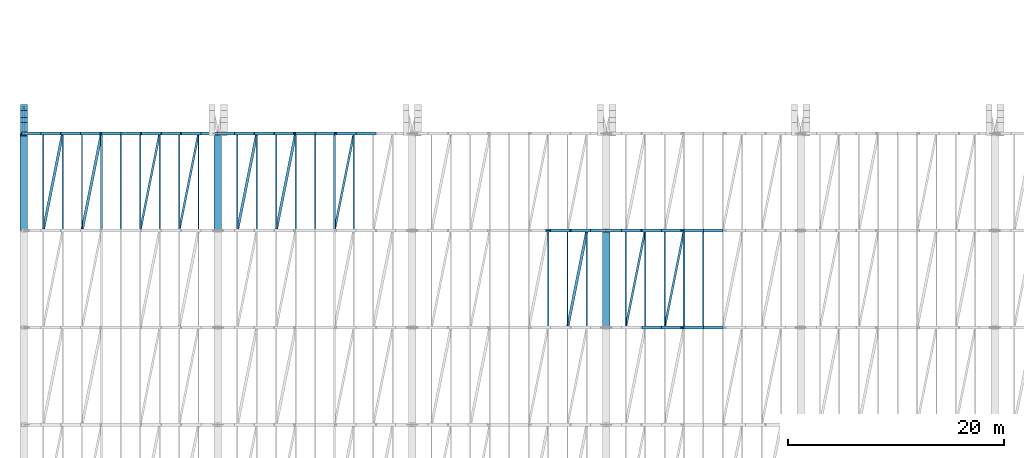
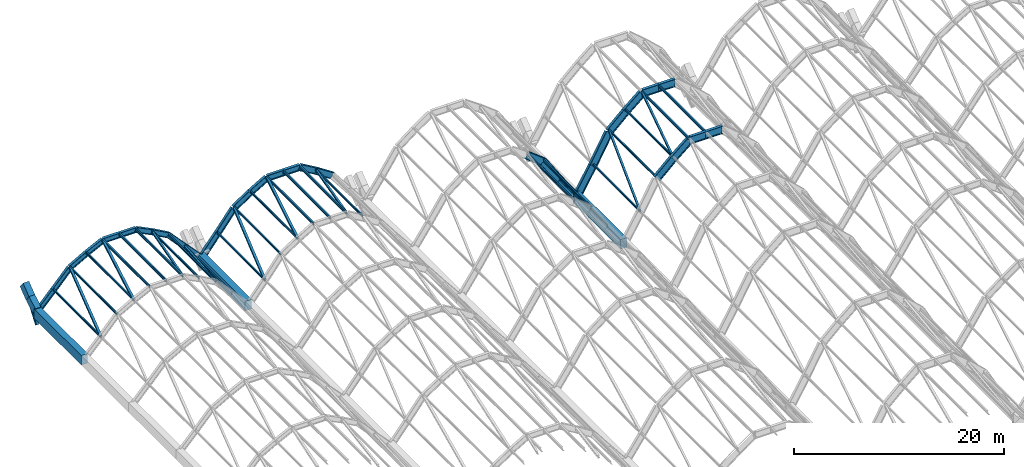
# One storey, part 21 of 86: 36 beams, 35 members.
"""IFC4 building model written with IfcOpenShell, lengths in metres."""

import ifcopenshell
import ifcopenshell.guid

model = None  # the IFC model being written
_history = None  # IfcOwnerHistory: only IFC2X3 demands one
_inside = {}  # id of a spatial element -> (the spatial element, [elements in it])
_under = {}  # id of a project, library or spatial element -> (it, [spatial elements below it])
_declared = {}  # id of a project -> (the project, [libraries it declares])
_typed = {}  # id of a type object -> (the type object, [elements of that type])
_made_of = {}  # id of a material, layer set ... -> (it, [elements and type objects made of it])


def new_model(schema):
    """Start an empty IFC model of exactly this schema.

    Asked for "IFC4X3", IfcOpenShell would pick the latest addendum, in which some entities
    have other attributes; the version numbers below select the first issue.
    IFC2X3 requires an IfcOwnerHistory on every rooted entity: one is made here for all.
    """
    global model, _history
    if schema == "IFC4X3":
        model = ifcopenshell.file(schema_version=(4, 3, 0, 0))
    else:
        model = ifcopenshell.file(schema=schema)
    _inside.clear()
    _under.clear()
    _declared.clear()
    _typed.clear()
    _made_of.clear()
    _history = None
    if model.schema == "IFC2X3":
        org = make("IfcOrganization", Name="unknown")
        user = make(
            "IfcPersonAndOrganization",
            ThePerson=make("IfcPerson", FamilyName="unknown"),
            TheOrganization=org,
        )
        app = make(
            "IfcApplication",
            ApplicationDeveloper=org,
            Version="unknown",
            ApplicationFullName="unknown",
            ApplicationIdentifier="unknown",
        )
        _history = make(
            "IfcOwnerHistory",
            OwningUser=user,
            OwningApplication=app,
            ChangeAction="ADDED",
            CreationDate=0,
        )
    return model


def make(cls, **values):
    """One entity of the class cls with the attributes given. An attribute that is None is left unset."""
    return model.create_entity(
        cls, **{name: value for name, value in values.items() if value is not None}
    )


def rooted(cls, **values):
    """An entity with a GlobalId (a new one), such as an element, a storey or a relation."""
    return make(cls, GlobalId=ifcopenshell.guid.new(), OwnerHistory=_history, **values)


def si_unit(unit_type, name, prefix=None):
    """IfcSIUnit, for example si_unit("LENGTHUNIT", "METRE", prefix="MILLI")."""
    return make("IfcSIUnit", UnitType=unit_type, Prefix=prefix, Name=name)


def assignment(units):
    """IfcUnitAssignment: the units of a project."""
    return None if units is None else make("IfcUnitAssignment", Units=units)


def point(xyz):
    """IfcCartesianPoint."""
    return None if xyz is None else make("IfcCartesianPoint", Coordinates=xyz)


def direction(xyz):
    """IfcDirection."""
    return None if xyz is None else make("IfcDirection", DirectionRatios=xyz)


def frame(location, z_axis=None, x_axis=None):
    """IfcAxis2Placement3D, a coordinate frame: its origin and axes. An axis left out is left unset."""
    return make(
        "IfcAxis2Placement3D",
        Location=point(location),
        Axis=direction(z_axis),
        RefDirection=direction(x_axis),
    )


def frame_2d(location, x_axis=None):
    """IfcAxis2Placement2D, a coordinate frame in the plane: its origin and x axis."""
    return make(
        "IfcAxis2Placement2D", Location=point(location), RefDirection=direction(x_axis)
    )


def origin():
    """The frame at (0, 0, 0) with its axes left unset."""
    return frame((0.0, 0.0, 0.0))


def origin_2d():
    """The frame at (0, 0) in the plane with its x axis left unset."""
    return frame_2d((0.0, 0.0))


def place(relative_to, where):
    """IfcLocalPlacement: puts the frame where relative to a parent placement (None: the world)."""
    return make(
        "IfcLocalPlacement", PlacementRelTo=relative_to, RelativePlacement=where
    )


def context(
    kind, dimensions, precision=None, world=None, true_north=None, identifier=None
):
    """IfcGeometricRepresentationContext, for example the 3D "Model" context."""
    return make(
        "IfcGeometricRepresentationContext",
        ContextIdentifier=identifier,
        ContextType=kind,
        CoordinateSpaceDimension=dimensions,
        Precision=precision,
        WorldCoordinateSystem=world,
        TrueNorth=true_north,
    )


def subcontext(parent, identifier, kind, view, scale=None):
    """IfcGeometricRepresentationSubContext, for example "Body" below "Model"."""
    return make(
        "IfcGeometricRepresentationSubContext",
        ContextIdentifier=identifier,
        ContextType=kind,
        ParentContext=parent,
        TargetScale=scale,
        TargetView=view,
    )


def project(units=None, contexts=None):
    """IfcProject with its units and contexts."""
    return rooted(
        "IfcProject",
        Name="project",
        RepresentationContexts=contexts,
        UnitsInContext=assignment(units),
    )


def spatial(cls, under=None, at=None, **own):
    """A site, building, storey or space (cls), placed at a placement, below another one or the project."""
    s = rooted(cls, ObjectPlacement=at, **own)
    if under is not None:
        _under.setdefault(under.id(), (under, []))[1].append(s)
    return s


def profile(cls, at=None, kind="AREA", **sizes):
    """A parametric profile (cls). Its sizes go by their IFC names, for example OverallWidth=200.0."""
    return make(cls, ProfileType=kind, Position=at, **sizes)


def rectangle(**sizes):
    """IfcRectangleProfileDef."""
    return profile("IfcRectangleProfileDef", **sizes)


def i_section(**sizes):
    """IfcIShapeProfileDef."""
    return profile("IfcIShapeProfileDef", **sizes)


def extrude(swept, where, along, depth):
    """IfcExtrudedAreaSolid: the profile swept, set in the frame where, extruded along a direction by depth."""
    return make(
        "IfcExtrudedAreaSolid",
        SweptArea=swept,
        Position=where,
        ExtrudedDirection=direction(along),
        Depth=depth,
    )


def shape(context_of_items, identifier, shape_type, items):
    """IfcShapeRepresentation: the items that make up one representation, for example the "Body"."""
    return make(
        "IfcShapeRepresentation",
        ContextOfItems=context_of_items,
        RepresentationIdentifier=identifier,
        RepresentationType=shape_type,
        Items=items,
    )


def material(Name=None, Category=None):
    """IfcMaterial."""
    return make("IfcMaterial", Name=Name, Category=Category)


def material_profile(
    of_material, cross_section, Name=None, Category=None, Priority=None
):
    """IfcMaterialProfile: a cross section and its material."""
    return make(
        "IfcMaterialProfile",
        Name=Name,
        Material=of_material,
        Profile=cross_section,
        Priority=Priority,
        Category=Category,
    )


def profile_set(profiles, Name=None, composite=None):
    """IfcMaterialProfileSet."""
    return make(
        "IfcMaterialProfileSet",
        Name=Name,
        MaterialProfiles=profiles,
        CompositeProfile=composite,
    )


def made_of(thing, what):
    """Note that an element or type object is made of a material, layer set ...; save() writes the relation."""
    if what is not None:
        _made_of.setdefault(what.id(), (what, []))[1].append(thing)
    return thing


def type_object(cls, material=None, **own):
    """A type object (cls), such as IfcWallType, which elements share."""
    return made_of(rooted(cls, **own), material)


def element(
    cls,
    number,
    at=None,
    inside=None,
    cuts=None,
    type_object=None,
    material=None,
    context=None,
    identifier="Body",
    shape_type=None,
    held_by="IfcProductDefinitionShape",
    body=None,
    shapes=None,
    **own,
):
    """One element of the class cls, such as IfcWall. Its Tag is "e" and its number.

    at: its placement. inside: the storey or other place that contains it. cuts: it is an
    opening in that element (IfcRelVoidsElement). A single representation is given by context,
    identifier, shape_type and body (its items); several are given by shapes. held_by: the class
    of the entity that holds the representations. save() writes the other relations.
    """
    e = rooted(cls, Tag="e%d" % number, ObjectPlacement=at, **own)
    if body is not None:
        shapes = [shape(context, identifier, shape_type, body)]
    if shapes is not None:
        e.Representation = make(held_by, Representations=shapes)
    if inside is not None:
        _inside.setdefault(inside.id(), (inside, []))[1].append(e)
    if cuts is not None:
        rooted(
            "IfcRelVoidsElement", RelatingBuildingElement=cuts, RelatedOpeningElement=e
        )
    if type_object is not None:
        _typed.setdefault(type_object.id(), (type_object, []))[1].append(e)
    return made_of(e, material)


def aggregate(whole, parts):
    """IfcRelAggregates: a whole, such as a stair, and the parts it consists of."""
    return rooted("IfcRelAggregates", RelatingObject=whole, RelatedObjects=parts)


def save(model, path):
    """Write the relations noted so far, then the file.

    IfcRelAggregates (storeys below a building ...), IfcRelContainedInSpatialStructure (elements
    in a storey), IfcRelDefinesByType, IfcRelAssociatesMaterial and IfcRelDeclares: one each for
    every whole, place, type object, material and project.
    """
    for whole, parts in _under.values():
        aggregate(whole, parts)
    for where, things in _inside.values():
        rooted(
            "IfcRelContainedInSpatialStructure",
            RelatedElements=things,
            RelatingStructure=where,
        )
    for kind, things in _typed.values():
        rooted("IfcRelDefinesByType", RelatedObjects=things, RelatingType=kind)
    for what, things in _made_of.values():
        rooted("IfcRelAssociatesMaterial", RelatedObjects=things, RelatingMaterial=what)
    for by, libraries in _declared.values():
        rooted("IfcRelDeclares", RelatingContext=by, RelatedDefinitions=libraries)
    model.write(path)


model = new_model("IFC4")

# Units and contexts
model_context = context("Model", 3, precision=1e-05, world=origin(), true_north=direction((0.0, 1.0)))
body_context = subcontext(model_context, "Body", "Model", "MODEL_VIEW")
ifc_project = project(units=[si_unit("LENGTHUNIT", "METRE"), si_unit("AREAUNIT", "SQUARE_METRE"), si_unit("VOLUMEUNIT", "CUBIC_METRE"), si_unit("PLANEANGLEUNIT", "RADIAN"), si_unit("MASSUNIT", "GRAM", prefix="KILO")], contexts=[model_context])

# Site, building, storey
site_placement = place(None, origin())
site = spatial("IfcSite", under=ifc_project, at=site_placement, CompositionType="ELEMENT")
building_placement = place(site_placement, origin())
building = spatial("IfcBuilding", under=site, at=building_placement, Name="Chuanluo Vaults Station", CompositionType="ELEMENT")
storey_placement = place(building_placement, frame((0.0, 0.0, 14.39990234375)))
storey = spatial("IfcBuildingStorey", under=building, at=storey_placement, Name="L03", CompositionType="ELEMENT", Elevation=14.39990234375)

# Beams
ifc_material_1 = material(Name="Concrete C50", Category="concrete")
ifc_material_profile_1 = material_profile(ifc_material_1, rectangle(XDim=0.64990234375, YDim=0.949951171875, at=origin_2d()))
ifc_profile_set_1 = profile_set([ifc_material_profile_1], Name="Concrete C50")
beam_type_1 = type_object("IfcBeamType", Name="BM-CUSP-RC1", PredefinedType="USERDEFINED", material=ifc_profile_set_1)
beam_1_placement = place(storey_placement, frame((0.0, 103.5, -0.5498046875), z_axis=(0.0, 0.872520545396, 0.488577422588), x_axis=(-1.0, 0.0, 0.0)))
element("IfcBeam", 1, at=beam_1_placement, inside=storey, type_object=beam_type_1, Name="Vault V1 upturned cusp rib N-W chord 1", ObjectType="GIRDER", PredefinedType="USERDEFINED", context=body_context, shape_type="SweptSolid", body=[
    extrude(rectangle(XDim=0.64990234375, YDim=0.949951171875, at=origin_2d()), origin(), (0.0, 0.0, 1.0), 1.4326171875),
])
beam_2_placement = place(storey_placement, frame((0.0, 104.75, 0.150146484375), z_axis=(0.0, 0.787512057463, 0.61629924497), x_axis=(-1.0, 0.0, 0.0)))
element("IfcBeam", 2, at=beam_2_placement, inside=storey, type_object=beam_type_1, Name="Vault V1 upturned cusp rib N-W chord 2", ObjectType="GIRDER", PredefinedType="USERDEFINED", context=body_context, shape_type="SweptSolid", body=[
    extrude(rectangle(XDim=0.64990234375, YDim=0.949951171875, at=origin_2d()), origin(), (0.0, 0.0, 1.0), 1.460205078125),
])
ifc_material_2 = material(Name="Concrete C50", Category="concrete")
ifc_material_profile_2 = material_profile(ifc_material_2, rectangle(XDim=0.699951171875, YDim=1.10009765625, at=origin_2d()))
ifc_profile_set_2 = profile_set([ifc_material_profile_2], Name="Concrete C50")
beam_type_2 = type_object("IfcBeamType", Name="BM-VAL-RC", PredefinedType="USERDEFINED", material=ifc_profile_set_2)
for number, where, z_axis, x_axis, name in (
    (3, (0.0, 94.5, -0.7998046875), (0.0, 1.0, 0.0), (-1.0, 0.0, 0.0), "Vault springing valley beam X0-8"),
    (4, (18.0, 94.5, -0.7998046875), (0.0, 1.0, 0.0), (-1.0, 0.0, 0.0), "Vault springing valley beam X18-8"),
    (5, (54.0, 85.5, -0.7998046875), (0.0, 1.0, 0.0), (-1.0, 0.0, 0.0), "Vault springing valley beam X54-7"),
):
    element("IfcBeam", number, at=place(storey_placement, frame(where, z_axis=z_axis, x_axis=x_axis)), inside=storey, type_object=beam_type_2, Name=name, ObjectType="GIRDER", PredefinedType="USERDEFINED", context=body_context, shape_type="SweptSolid", body=[
        extrude(rectangle(XDim=0.699951171875, YDim=1.10009765625, at=origin_2d()), origin(), (0.0, 0.0, 1.0), 9.0),
    ])
ifc_material_3 = material(Name="Steel Q355C", Category="steel")
ifc_material_profile_3 = material_profile(ifc_material_3, i_section(OverallWidth=0.300048828125, OverallDepth=0.587890625, WebThickness=0.011962890625, FlangeThickness=0.02001953125, FilletRadius=0.02392578125, at=origin_2d()))
ifc_profile_set_3 = profile_set([ifc_material_profile_3], Name="Steel Q355C")
beam_type_3 = type_object("IfcBeamType", Name="BM-VLT-600", PredefinedType="USERDEFINED", material=ifc_profile_set_3)
beam_3_placement = place(storey_placement, frame((0.0, 103.5, -0.743896484375), z_axis=(0.684521510403, 0.0, 0.728992662374), x_axis=(0.0, 1.0, 0.0)))
element("IfcBeam", 6, at=beam_3_placement, inside=storey, type_object=beam_type_3, Name="Vault V1 arch rib 9 chord 1", ObjectType="GIRDER", PredefinedType="USERDEFINED", context=body_context, shape_type="SweptSolid", body=[
    extrude(i_section(OverallWidth=0.300048828125, OverallDepth=0.587890625, WebThickness=0.011962890625, FlangeThickness=0.02001953125, FilletRadius=0.02392578125, at=origin_2d()), origin(), (0.0, 0.0, 1.0), 2.629638671875),
])
beam_4_placement = place(storey_placement, frame((1.800048828125, 103.5, 1.173095703125), z_axis=(0.674369120381, 0.0, 0.738394399679), x_axis=(0.0, 1.0, 0.0)))
element("IfcBeam", 7, at=beam_4_placement, inside=storey, type_object=beam_type_3, Name="Vault V1 arch rib 9 chord 2", ObjectType="GIRDER", PredefinedType="USERDEFINED", context=body_context, shape_type="SweptSolid", body=[
    extrude(i_section(OverallWidth=0.300048828125, OverallDepth=0.587890625, WebThickness=0.011962890625, FlangeThickness=0.02001953125, FilletRadius=0.02392578125, at=origin_2d()), origin(), (0.0, 0.0, 1.0), 2.669189453125),
])
beam_5_placement = place(storey_placement, frame((3.60009765625, 103.5, 3.14404296875), z_axis=(0.873681685546, 0.0, 0.486498008569), x_axis=(0.0, 1.0, 0.0)))
element("IfcBeam", 8, at=beam_5_placement, inside=storey, type_object=beam_type_3, Name="Vault V1 arch rib 9 chord 3", ObjectType="GIRDER", PredefinedType="USERDEFINED", context=body_context, shape_type="SweptSolid", body=[
    extrude(i_section(OverallWidth=0.300048828125, OverallDepth=0.587890625, WebThickness=0.011962890625, FlangeThickness=0.02001953125, FilletRadius=0.02392578125, at=origin_2d()), origin(), (0.0, 0.0, 1.0), 2.06005859375),
])
beam_6_placement = place(storey_placement, frame((5.39990234375, 103.5, 4.146240234375), z_axis=(0.896436371213, 0.0, 0.443172463457), x_axis=(0.0, 1.0, 0.0)))
element("IfcBeam", 9, at=beam_6_placement, inside=storey, type_object=beam_type_3, Name="Vault V1 arch rib 9 chord 4", ObjectType="GIRDER", PredefinedType="USERDEFINED", context=body_context, shape_type="SweptSolid", body=[
    extrude(i_section(OverallWidth=0.300048828125, OverallDepth=0.587890625, WebThickness=0.011962890625, FlangeThickness=0.02001953125, FilletRadius=0.02392578125, at=origin_2d()), origin(), (0.0, 0.0, 1.0), 2.008056640625),
])
for number, where, z_axis, x_axis, name in (
    (10, (7.199951171875, 103.5, 5.0361328125), (1.0, 0.0, 0.0), (0.0, 1.0, 0.0), "Vault V1 arch rib 9 chord 5"),
    (11, (9.0, 103.5, 5.0361328125), (1.0, 0.0, 0.0), (0.0, 1.0, 0.0), "Vault V1 arch rib 9 chord 6"),
):
    element("IfcBeam", number, at=place(storey_placement, frame(where, z_axis=z_axis, x_axis=x_axis)), inside=storey, type_object=beam_type_3, Name=name, ObjectType="GIRDER", PredefinedType="USERDEFINED", context=body_context, shape_type="SweptSolid", body=[
        extrude(i_section(OverallWidth=0.300048828125, OverallDepth=0.587890625, WebThickness=0.011962890625, FlangeThickness=0.02001953125, FilletRadius=0.02392578125, at=origin_2d()), origin(), (0.0, 0.0, 1.0), 1.800048828125),
    ])
beam_7_placement = place(storey_placement, frame((10.800048828125, 103.5, 5.0361328125), z_axis=(0.896436371213, 0.0, -0.443172463457), x_axis=(0.0, 1.0, 0.0)))
element("IfcBeam", 12, at=beam_7_placement, inside=storey, type_object=beam_type_3, Name="Vault V1 arch rib 9 chord 7", ObjectType="GIRDER", PredefinedType="USERDEFINED", context=body_context, shape_type="SweptSolid", body=[
    extrude(i_section(OverallWidth=0.300048828125, OverallDepth=0.587890625, WebThickness=0.011962890625, FlangeThickness=0.02001953125, FilletRadius=0.02392578125, at=origin_2d()), origin(), (0.0, 0.0, 1.0), 2.008056640625),
])
beam_8_placement = place(storey_placement, frame((12.60009765625, 103.5, 4.146240234375), z_axis=(0.873681685546, 0.0, -0.486498008569), x_axis=(0.0, 1.0, 0.0)))
element("IfcBeam", 13, at=beam_8_placement, inside=storey, type_object=beam_type_3, Name="Vault V1 arch rib 9 chord 8", ObjectType="GIRDER", PredefinedType="USERDEFINED", context=body_context, shape_type="SweptSolid", body=[
    extrude(i_section(OverallWidth=0.300048828125, OverallDepth=0.587890625, WebThickness=0.011962890625, FlangeThickness=0.02001953125, FilletRadius=0.02392578125, at=origin_2d()), origin(), (0.0, 0.0, 1.0), 2.06005859375),
])
beam_9_placement = place(storey_placement, frame((14.39990234375, 103.5, 3.14404296875), z_axis=(0.674369120381, 0.0, -0.738394399679), x_axis=(0.0, 1.0, 0.0)))
element("IfcBeam", 14, at=beam_9_placement, inside=storey, type_object=beam_type_3, Name="Vault V1 arch rib 9 chord 9", ObjectType="GIRDER", PredefinedType="USERDEFINED", context=body_context, shape_type="SweptSolid", body=[
    extrude(i_section(OverallWidth=0.300048828125, OverallDepth=0.587890625, WebThickness=0.011962890625, FlangeThickness=0.02001953125, FilletRadius=0.02392578125, at=origin_2d()), origin(), (0.0, 0.0, 1.0), 2.669189453125),
])
beam_10_placement = place(storey_placement, frame((16.199951171875, 103.5, 1.173095703125), z_axis=(0.684521510403, 0.0, -0.728992662374), x_axis=(0.0, 1.0, 0.0)))
element("IfcBeam", 15, at=beam_10_placement, inside=storey, type_object=beam_type_3, Name="Vault V1 arch rib 9 chord 10", ObjectType="GIRDER", PredefinedType="USERDEFINED", context=body_context, shape_type="SweptSolid", body=[
    extrude(i_section(OverallWidth=0.300048828125, OverallDepth=0.587890625, WebThickness=0.011962890625, FlangeThickness=0.02001953125, FilletRadius=0.02392578125, at=origin_2d()), origin(), (0.0, 0.0, 1.0), 2.629638671875),
])
ifc_material_4 = material(Name="Steel Q355C", Category="steel")
ifc_material_profile_4 = material_profile(ifc_material_4, i_section(OverallWidth=0.300048828125, OverallDepth=0.699951171875, WebThickness=0.012939453125, FlangeThickness=0.02392578125, FilletRadius=0.02392578125, at=origin_2d()))
ifc_profile_set_4 = profile_set([ifc_material_profile_4], Name="Steel Q355C")
beam_type_4 = type_object("IfcBeamType", Name="BM-VLT-700", PredefinedType="USERDEFINED", material=ifc_profile_set_4)
beam_11_placement = place(storey_placement, frame((18.0, 103.5, -0.7998046875), z_axis=(0.628190338877, 0.0, 0.778059700885), x_axis=(0.0, 1.0, 0.0)))
element("IfcBeam", 16, at=beam_11_placement, inside=storey, type_object=beam_type_4, Name="Vault V2 arch rib 9 chord 1", ObjectType="GIRDER", PredefinedType="USERDEFINED", context=body_context, shape_type="SweptSolid", body=[
    extrude(i_section(OverallWidth=0.300048828125, OverallDepth=0.699951171875, WebThickness=0.012939453125, FlangeThickness=0.02392578125, FilletRadius=0.02392578125, at=origin_2d()), origin(), (0.0, 0.0, 1.0), 2.865478515625),
])
beam_12_placement = place(storey_placement, frame((19.800048828125, 103.5, 1.4296875), z_axis=(0.613681275736, 0.0, 0.789553856182), x_axis=(0.0, 1.0, 0.0)))
element("IfcBeam", 17, at=beam_12_placement, inside=storey, type_object=beam_type_4, Name="Vault V2 arch rib 9 chord 2", ObjectType="GIRDER", PredefinedType="USERDEFINED", context=body_context, shape_type="SweptSolid", body=[
    extrude(i_section(OverallWidth=0.300048828125, OverallDepth=0.699951171875, WebThickness=0.012939453125, FlangeThickness=0.02392578125, FilletRadius=0.02392578125, at=origin_2d()), origin(), (0.0, 0.0, 1.0), 2.93310546875),
])
beam_13_placement = place(storey_placement, frame((21.60009765625, 103.5, 3.74560546875), z_axis=(0.836145448105, 0.0, 0.54850778446), x_axis=(0.0, 1.0, 0.0)))
element("IfcBeam", 18, at=beam_13_placement, inside=storey, type_object=beam_type_4, Name="Vault V2 arch rib 9 chord 3", ObjectType="GIRDER", PredefinedType="USERDEFINED", context=body_context, shape_type="SweptSolid", body=[
    extrude(i_section(OverallWidth=0.300048828125, OverallDepth=0.699951171875, WebThickness=0.012939453125, FlangeThickness=0.02392578125, FilletRadius=0.02392578125, at=origin_2d()), origin(), (0.0, 0.0, 1.0), 2.152587890625),
])
beam_14_placement = place(storey_placement, frame((23.39990234375, 103.5, 4.92626953125), z_axis=(0.863009490662, 0.0, 0.505187706727), x_axis=(0.0, 1.0, 0.0)))
element("IfcBeam", 19, at=beam_14_placement, inside=storey, type_object=beam_type_4, Name="Vault V2 arch rib 9 chord 4", ObjectType="GIRDER", PredefinedType="USERDEFINED", context=body_context, shape_type="SweptSolid", body=[
    extrude(i_section(OverallWidth=0.300048828125, OverallDepth=0.699951171875, WebThickness=0.012939453125, FlangeThickness=0.02392578125, FilletRadius=0.02392578125, at=origin_2d()), origin(), (0.0, 0.0, 1.0), 2.085693359375),
])
for number, where, z_axis, x_axis, name in (
    (20, (25.199951171875, 103.5, 5.97998046875), (1.0, 0.0, 0.0), (0.0, 1.0, 0.0), "Vault V2 arch rib 9 chord 5"),
    (21, (27.0, 103.5, 5.97998046875), (1.0, 0.0, 0.0), (0.0, 1.0, 0.0), "Vault V2 arch rib 9 chord 6"),
):
    element("IfcBeam", number, at=place(storey_placement, frame(where, z_axis=z_axis, x_axis=x_axis)), inside=storey, type_object=beam_type_4, Name=name, ObjectType="GIRDER", PredefinedType="USERDEFINED", context=body_context, shape_type="SweptSolid", body=[
        extrude(i_section(OverallWidth=0.300048828125, OverallDepth=0.699951171875, WebThickness=0.012939453125, FlangeThickness=0.02392578125, FilletRadius=0.02392578125, at=origin_2d()), origin(), (0.0, 0.0, 1.0), 1.800048828125),
    ])
beam_15_placement = place(storey_placement, frame((28.800048828125, 103.5, 5.97998046875), z_axis=(0.863009490662, 0.0, -0.505187706727), x_axis=(0.0, 1.0, 0.0)))
element("IfcBeam", 22, at=beam_15_placement, inside=storey, type_object=beam_type_4, Name="Vault V2 arch rib 9 chord 7", ObjectType="GIRDER", PredefinedType="USERDEFINED", context=body_context, shape_type="SweptSolid", body=[
    extrude(i_section(OverallWidth=0.300048828125, OverallDepth=0.699951171875, WebThickness=0.012939453125, FlangeThickness=0.02392578125, FilletRadius=0.02392578125, at=origin_2d()), origin(), (0.0, 0.0, 1.0), 2.085693359375),
])
beam_16_placement = place(storey_placement, frame((30.60009765625, 103.5, 4.92626953125), z_axis=(0.836145448105, 0.0, -0.54850778446), x_axis=(0.0, 1.0, 0.0)))
element("IfcBeam", 23, at=beam_16_placement, inside=storey, type_object=beam_type_4, Name="Vault V2 arch rib 9 chord 8", ObjectType="GIRDER", PredefinedType="USERDEFINED", context=body_context, shape_type="SweptSolid", body=[
    extrude(i_section(OverallWidth=0.300048828125, OverallDepth=0.699951171875, WebThickness=0.012939453125, FlangeThickness=0.02392578125, FilletRadius=0.02392578125, at=origin_2d()), origin(), (0.0, 0.0, 1.0), 2.152587890625),
])
ifc_material_5 = material(Name="Steel Q355C", Category="steel")
ifc_material_profile_5 = material_profile(ifc_material_5, i_section(OverallWidth=0.300048828125, OverallDepth=0.800048828125, WebThickness=0.013916015625, FlangeThickness=0.02587890625, FilletRadius=0.02392578125, at=origin_2d()))
ifc_profile_set_5 = profile_set([ifc_material_profile_5], Name="Steel Q355C")
beam_type_5 = type_object("IfcBeamType", Name="BM-VLT-800", PredefinedType="USERDEFINED", material=ifc_profile_set_5)
beam_17_placement = place(storey_placement, frame((48.60009765625, 94.5, 5.8779296875), z_axis=(0.790274889356, 0.0, -0.612752477965), x_axis=(0.0, 1.0, 0.0)))
element("IfcBeam", 24, at=beam_17_placement, inside=storey, type_object=beam_type_5, Name="Vault V3 arch rib 8 chord 8", ObjectType="GIRDER", PredefinedType="USERDEFINED", context=body_context, shape_type="SweptSolid", body=[
    extrude(i_section(OverallWidth=0.300048828125, OverallDepth=0.800048828125, WebThickness=0.013916015625, FlangeThickness=0.02587890625, FilletRadius=0.02392578125, at=origin_2d()), origin(), (0.0, 0.0, 1.0), 2.27734375),
])
beam_18_placement = place(storey_placement, frame((50.39990234375, 94.5, 4.482421875), z_axis=(0.550471867992, 0.0, -0.834853713263), x_axis=(0.0, 1.0, 0.0)))
element("IfcBeam", 25, at=beam_18_placement, inside=storey, type_object=beam_type_5, Name="Vault V3 arch rib 8 chord 9", ObjectType="GIRDER", PredefinedType="USERDEFINED", context=body_context, shape_type="SweptSolid", body=[
    extrude(i_section(OverallWidth=0.300048828125, OverallDepth=0.800048828125, WebThickness=0.013916015625, FlangeThickness=0.02587890625, FilletRadius=0.02392578125, at=origin_2d()), origin(), (0.0, 0.0, 1.0), 3.27001953125),
])
beam_19_placement = place(storey_placement, frame((52.199951171875, 94.5, 1.75244140625), z_axis=(0.568880934439, 0.0, -0.822419894234), x_axis=(0.0, 1.0, 0.0)))
element("IfcBeam", 26, at=beam_19_placement, inside=storey, type_object=beam_type_5, Name="Vault V3 arch rib 8 chord 10", ObjectType="GIRDER", PredefinedType="USERDEFINED", context=body_context, shape_type="SweptSolid", body=[
    extrude(i_section(OverallWidth=0.300048828125, OverallDepth=0.800048828125, WebThickness=0.013916015625, FlangeThickness=0.02587890625, FilletRadius=0.02392578125, at=origin_2d()), origin(), (0.0, 0.0, 1.0), 3.164306640625),
])
ifc_material_6 = material(Name="Steel Q355C", Category="steel")
ifc_material_profile_6 = material_profile(ifc_material_6, i_section(OverallWidth=0.300048828125, OverallDepth=0.89990234375, WebThickness=0.01611328125, FlangeThickness=0.028076171875, FilletRadius=0.02392578125, at=origin_2d()))
ifc_profile_set_6 = profile_set([ifc_material_profile_6], Name="Steel Q355C")
beam_type_6 = type_object("IfcBeamType", Name="BM-VLT-900", PredefinedType="USERDEFINED", material=ifc_profile_set_6)
beam_20_placement = place(storey_placement, frame((57.60009765625, 85.5, 5.478515625), z_axis=(0.730389392317, 0.0, 0.683030991676), x_axis=(0.0, 1.0, 0.0)))
element("IfcBeam", 27, at=beam_20_placement, inside=storey, type_object=beam_type_6, Name="Vault V4 arch rib 7 chord 3", ObjectType="GIRDER", PredefinedType="USERDEFINED", context=body_context, shape_type="SweptSolid", body=[
    extrude(i_section(OverallWidth=0.300048828125, OverallDepth=0.89990234375, WebThickness=0.01611328125, FlangeThickness=0.028076171875, FilletRadius=0.02392578125, at=origin_2d()), origin(), (0.0, 0.0, 1.0), 2.464111328125),
])
beam_21_placement = place(storey_placement, frame((59.39990234375, 85.5, 7.16162109375), z_axis=(0.76434097912, 0.0, 0.644812273176), x_axis=(0.0, 1.0, 0.0)))
element("IfcBeam", 28, at=beam_21_placement, inside=storey, type_object=beam_type_6, Name="Vault V4 arch rib 7 chord 4", ObjectType="GIRDER", PredefinedType="USERDEFINED", context=body_context, shape_type="SweptSolid", body=[
    extrude(i_section(OverallWidth=0.300048828125, OverallDepth=0.89990234375, WebThickness=0.01611328125, FlangeThickness=0.028076171875, FilletRadius=0.02392578125, at=origin_2d()), origin(), (0.0, 0.0, 1.0), 2.35498046875),
])
for number, where, z_axis, x_axis, name in (
    (29, (61.199951171875, 85.5, 8.68017578125), (1.0, 0.0, 0.0), (0.0, 1.0, 0.0), "Vault V4 arch rib 7 chord 5"),
    (30, (63.0, 85.5, 8.68017578125), (1.0, 0.0, 0.0), (0.0, 1.0, 0.0), "Vault V4 arch rib 7 chord 6"),
):
    element("IfcBeam", number, at=place(storey_placement, frame(where, z_axis=z_axis, x_axis=x_axis)), inside=storey, type_object=beam_type_6, Name=name, ObjectType="GIRDER", PredefinedType="USERDEFINED", context=body_context, shape_type="SweptSolid", body=[
        extrude(i_section(OverallWidth=0.300048828125, OverallDepth=0.89990234375, WebThickness=0.01611328125, FlangeThickness=0.028076171875, FilletRadius=0.02392578125, at=origin_2d()), origin(), (0.0, 0.0, 1.0), 1.800048828125),
    ])
beam_22_placement = place(storey_placement, frame((54.0, 94.5, -0.89990234375), z_axis=(0.502607424266, 0.0, 0.864514763941), x_axis=(0.0, 1.0, 0.0)))
element("IfcBeam", 31, at=beam_22_placement, inside=storey, type_object=beam_type_6, Name="Vault V4 arch rib 8 chord 1", ObjectType="GIRDER", PredefinedType="USERDEFINED", context=body_context, shape_type="SweptSolid", body=[
    extrude(i_section(OverallWidth=0.300048828125, OverallDepth=0.89990234375, WebThickness=0.01611328125, FlangeThickness=0.028076171875, FilletRadius=0.02392578125, at=origin_2d()), origin(), (0.0, 0.0, 1.0), 3.58154296875),
])
beam_23_placement = place(storey_placement, frame((55.800048828125, 94.5, 2.1962890625), z_axis=(0.480856872349, 0.0, 0.876799103738), x_axis=(0.0, 1.0, 0.0)))
element("IfcBeam", 32, at=beam_23_placement, inside=storey, type_object=beam_type_6, Name="Vault V4 arch rib 8 chord 2", ObjectType="GIRDER", PredefinedType="USERDEFINED", context=body_context, shape_type="SweptSolid", body=[
    extrude(i_section(OverallWidth=0.300048828125, OverallDepth=0.89990234375, WebThickness=0.01611328125, FlangeThickness=0.028076171875, FilletRadius=0.02392578125, at=origin_2d()), origin(), (0.0, 0.0, 1.0), 3.743408203125),
])
beam_24_placement = place(storey_placement, frame((57.60009765625, 94.5, 5.478515625), z_axis=(0.730389392317, 0.0, 0.683030991676), x_axis=(0.0, 1.0, 0.0)))
element("IfcBeam", 33, at=beam_24_placement, inside=storey, type_object=beam_type_6, Name="Vault V4 arch rib 8 chord 3", ObjectType="GIRDER", PredefinedType="USERDEFINED", context=body_context, shape_type="SweptSolid", body=[
    extrude(i_section(OverallWidth=0.300048828125, OverallDepth=0.89990234375, WebThickness=0.01611328125, FlangeThickness=0.028076171875, FilletRadius=0.02392578125, at=origin_2d()), origin(), (0.0, 0.0, 1.0), 2.464111328125),
])
beam_25_placement = place(storey_placement, frame((59.39990234375, 94.5, 7.16162109375), z_axis=(0.76434097912, 0.0, 0.644812273176), x_axis=(0.0, 1.0, 0.0)))
element("IfcBeam", 34, at=beam_25_placement, inside=storey, type_object=beam_type_6, Name="Vault V4 arch rib 8 chord 4", ObjectType="GIRDER", PredefinedType="USERDEFINED", context=body_context, shape_type="SweptSolid", body=[
    extrude(i_section(OverallWidth=0.300048828125, OverallDepth=0.89990234375, WebThickness=0.01611328125, FlangeThickness=0.028076171875, FilletRadius=0.02392578125, at=origin_2d()), origin(), (0.0, 0.0, 1.0), 2.35498046875),
])
for number, where, z_axis, x_axis, name in (
    (35, (61.199951171875, 94.5, 8.68017578125), (1.0, 0.0, 0.0), (0.0, 1.0, 0.0), "Vault V4 arch rib 8 chord 5"),
    (36, (63.0, 94.5, 8.68017578125), (1.0, 0.0, 0.0), (0.0, 1.0, 0.0), "Vault V4 arch rib 8 chord 6"),
):
    element("IfcBeam", number, at=place(storey_placement, frame(where, z_axis=z_axis, x_axis=x_axis)), inside=storey, type_object=beam_type_6, Name=name, ObjectType="GIRDER", PredefinedType="USERDEFINED", context=body_context, shape_type="SweptSolid", body=[
        extrude(i_section(OverallWidth=0.300048828125, OverallDepth=0.89990234375, WebThickness=0.01611328125, FlangeThickness=0.028076171875, FilletRadius=0.02392578125, at=origin_2d()), origin(), (0.0, 0.0, 1.0), 1.800048828125),
    ])

# Members
ifc_material_7 = material(Name="Steel Q355C", Category="steel")
ifc_material_profile_7 = material_profile(ifc_material_7, i_section(OverallWidth=0.25, OverallDepth=0.340087890625, WebThickness=0.009033203125, FlangeThickness=0.013916015625, FilletRadius=0.01611328125, at=origin_2d()))
ifc_profile_set_7 = profile_set([ifc_material_profile_7], Name="Steel Q355C")
member_type_1 = type_object("IfcMemberType", Name="MEM-CBR-340", PredefinedType="BRACE", material=ifc_profile_set_7)
member_1_placement = place(storey_placement, frame((0.0, 103.5, -2.25), z_axis=(0.0, 0.588150351935, 0.808751608047), x_axis=(-1.0, 0.0, 0.0)))
element("IfcMember", 37, at=member_1_placement, inside=storey, type_object=member_type_1, Name="Upturned eave cusp raking prop N-X0", PredefinedType="BRACE", context=body_context, shape_type="SweptSolid", body=[
    extrude(i_section(OverallWidth=0.25, OverallDepth=0.340087890625, WebThickness=0.009033203125, FlangeThickness=0.013916015625, FilletRadius=0.01611328125, at=origin_2d()), origin(), (0.0, 0.0, 1.0), 4.080322265625),
])
ifc_material_8 = material(Name="Steel Q355C", Category="steel")
ifc_material_profile_8 = material_profile(ifc_material_8, i_section(OverallWidth=0.125, OverallDepth=0.25, WebThickness=0.006103515625, FlangeThickness=0.009033203125, FilletRadius=0.011962890625, at=origin_2d()))
ifc_profile_set_8 = profile_set([ifc_material_profile_8], Name="Steel Q355C")
member_type_2 = type_object("IfcMemberType", Name="MEM-PUR-250", PredefinedType="PURLIN", material=ifc_profile_set_8)
for number, where, z_axis, x_axis, name in (
    (38, (1.800048828125, 94.5, 1.213134765625), (0.0, 1.0, 0.0), (-1.0, 0.0, 0.0), "Vault V1 purlin 8.1"),
    (39, (3.60009765625, 94.5, 3.206787109375), (0.0, 1.0, 0.0), (-1.0, 0.0, 0.0), "Vault V1 purlin 8.2"),
    (40, (5.39990234375, 94.5, 4.23779296875), (0.0, 1.0, 0.0), (-1.0, 0.0, 0.0), "Vault V1 purlin 8.3"),
    (41, (12.60009765625, 94.5, 4.23779296875), (0.0, 1.0, 0.0), (-1.0, 0.0, 0.0), "Vault V1 purlin 8.7"),
    (42, (14.39990234375, 94.5, 3.206787109375), (0.0, 1.0, 0.0), (-1.0, 0.0, 0.0), "Vault V1 purlin 8.8"),
    (43, (16.199951171875, 94.5, 1.213134765625), (0.0, 1.0, 0.0), (-1.0, 0.0, 0.0), "Vault V1 purlin 8.9"),
    (44, (19.800048828125, 94.5, 1.5126953125), (0.0, 1.0, 0.0), (-1.0, 0.0, 0.0), "Vault V2 purlin 8.1"),
    (45, (21.60009765625, 94.5, 3.849853515625), (0.0, 1.0, 0.0), (-1.0, 0.0, 0.0), "Vault V2 purlin 8.2"),
    (46, (23.39990234375, 94.5, 5.068115234375), (0.0, 1.0, 0.0), (-1.0, 0.0, 0.0), "Vault V2 purlin 8.3"),
    (47, (30.60009765625, 94.5, 5.068115234375), (0.0, 1.0, 0.0), (-1.0, 0.0, 0.0), "Vault V2 purlin 8.7"),
    (48, (48.60009765625, 85.5, 6.062744140625), (0.0, 1.0, 0.0), (-1.0, 0.0, 0.0), "Vault V3 purlin 7.7"),
    (49, (50.39990234375, 85.5, 4.619384765625), (0.0, 1.0, 0.0), (-1.0, 0.0, 0.0), "Vault V3 purlin 7.8"),
    (50, (52.199951171875, 85.5, 1.86962890625), (0.0, 1.0, 0.0), (-1.0, 0.0, 0.0), "Vault V3 purlin 7.9"),
    (51, (55.800048828125, 85.5, 2.3427734375), (0.0, 1.0, 0.0), (-1.0, 0.0, 0.0), "Vault V4 purlin 7.1"),
    (52, (57.60009765625, 85.5, 5.642578125), (0.0, 1.0, 0.0), (-1.0, 0.0, 0.0), "Vault V4 purlin 7.2"),
    (53, (59.39990234375, 85.5, 7.38720703125), (0.0, 1.0, 0.0), (-1.0, 0.0, 0.0), "Vault V4 purlin 7.3"),
):
    element("IfcMember", number, at=place(storey_placement, frame(where, z_axis=z_axis, x_axis=x_axis)), inside=storey, type_object=member_type_2, Name=name, PredefinedType="PURLIN", context=body_context, shape_type="SweptSolid", body=[
        extrude(i_section(OverallWidth=0.125, OverallDepth=0.25, WebThickness=0.006103515625, FlangeThickness=0.009033203125, FilletRadius=0.011962890625, at=origin_2d()), origin(), (0.0, 0.0, 1.0), 9.0),
    ])
ifc_material_9 = material(Name="Steel Q355C", Category="steel")
ifc_material_profile_9 = material_profile(ifc_material_9, i_section(OverallWidth=0.14990234375, OverallDepth=0.300048828125, WebThickness=0.006591796875, FlangeThickness=0.009033203125, FilletRadius=0.012939453125, at=origin_2d()))
ifc_profile_set_9 = profile_set([ifc_material_profile_9], Name="Steel Q355C")
member_type_3 = type_object("IfcMemberType", Name="MEM-PUR-300", PredefinedType="PURLIN", material=ifc_profile_set_9)
for number, where, z_axis, x_axis, name in (
    (54, (7.199951171875, 94.5, 5.102294921875), (0.0, 1.0, 0.0), (-1.0, 0.0, 0.0), "Vault V1 purlin 8.4"),
    (55, (9.0, 94.5, 5.172119140625), (0.0, 1.0, 0.0), (-1.0, 0.0, 0.0), "Vault V1 purlin 8.5"),
    (56, (10.800048828125, 94.5, 5.102294921875), (0.0, 1.0, 0.0), (-1.0, 0.0, 0.0), "Vault V1 purlin 8.6"),
    (57, (25.199951171875, 94.5, 6.085693359375), (0.0, 1.0, 0.0), (-1.0, 0.0, 0.0), "Vault V2 purlin 8.4"),
    (58, (27.0, 94.5, 6.172119140625), (0.0, 1.0, 0.0), (-1.0, 0.0, 0.0), "Vault V2 purlin 8.5"),
    (59, (28.800048828125, 94.5, 6.085693359375), (0.0, 1.0, 0.0), (-1.0, 0.0, 0.0), "Vault V2 purlin 8.6"),
    (60, (61.199951171875, 85.5, 8.834228515625), (0.0, 1.0, 0.0), (-1.0, 0.0, 0.0), "Vault V4 purlin 7.4"),
    (61, (63.0, 85.5, 8.97216796875), (0.0, 1.0, 0.0), (-1.0, 0.0, 0.0), "Vault V4 purlin 7.5"),
):
    element("IfcMember", number, at=place(storey_placement, frame(where, z_axis=z_axis, x_axis=x_axis)), inside=storey, type_object=member_type_3, Name=name, PredefinedType="PURLIN", context=body_context, shape_type="SweptSolid", body=[
        extrude(i_section(OverallWidth=0.14990234375, OverallDepth=0.300048828125, WebThickness=0.006591796875, FlangeThickness=0.009033203125, FilletRadius=0.012939453125, at=origin_2d()), origin(), (0.0, 0.0, 1.0), 9.0),
    ])
ifc_material_10 = material(Name="Steel Q355C", Category="steel")
ifc_material_profile_10 = material_profile(ifc_material_10, i_section(OverallWidth=0.199951171875, OverallDepth=0.199951171875, WebThickness=0.008056640625, FlangeThickness=0.011962890625, FilletRadius=0.012939453125, at=origin_2d()))
ifc_profile_set_10 = profile_set([ifc_material_profile_10], Name="Steel Q355C")
member_type_4 = type_object("IfcMemberType", Name="MEM-VBR-200", PredefinedType="BRACE", material=ifc_profile_set_10)
member_2_placement = place(storey_placement, frame((10.800048828125, 94.5, 5.102294921875), z_axis=(0.195257020583, 0.976258620206, -0.093775275991), x_axis=(-0.980579652604, 0.196121250506, 0.0)))
element("IfcMember", 62, at=member_2_placement, inside=storey, type_object=member_type_4, Name="Vault V1 space-frame diagonal 8.6", PredefinedType="BRACE", context=body_context, shape_type="SweptSolid", body=[
    extrude(i_section(OverallWidth=0.199951171875, OverallDepth=0.199951171875, WebThickness=0.008056640625, FlangeThickness=0.011962890625, FilletRadius=0.012939453125, at=origin_2d()), origin(), (0.0, 0.0, 1.0), 9.21875),
])
member_3_placement = place(storey_placement, frame((14.39990234375, 94.5, 3.206787109375), z_axis=(0.191652062064, 0.958234316551, -0.212265121228), x_axis=(-0.980579652604, 0.196121250506, 0.0)))
element("IfcMember", 63, at=member_3_placement, inside=storey, type_object=member_type_4, Name="Vault V1 space-frame diagonal 8.8", PredefinedType="BRACE", context=body_context, shape_type="SweptSolid", body=[
    extrude(i_section(OverallWidth=0.199951171875, OverallDepth=0.199951171875, WebThickness=0.008056640625, FlangeThickness=0.011962890625, FilletRadius=0.012939453125, at=origin_2d()), origin(), (0.0, 0.0, 1.0), 9.392333984375),
])
member_4_placement = place(storey_placement, frame((28.800048828125, 94.5, 6.085693359375), z_axis=(0.194926906054, 0.974608092333, -0.110193319467), x_axis=(-0.980579652604, 0.196121250506, 0.0)))
element("IfcMember", 64, at=member_4_placement, inside=storey, type_object=member_type_4, Name="Vault V2 space-frame diagonal 8.6", PredefinedType="BRACE", context=body_context, shape_type="SweptSolid", body=[
    extrude(i_section(OverallWidth=0.199951171875, OverallDepth=0.199951171875, WebThickness=0.008056640625, FlangeThickness=0.011962890625, FilletRadius=0.012939453125, at=origin_2d()), origin(), (0.0, 0.0, 1.0), 9.234375),
])
member_5_placement = place(storey_placement, frame((55.800048828125, 85.5, 2.3427734375), z_axis=(0.184555961681, 0.922754777078, 0.338323393202), x_axis=(-0.980579652604, 0.196121250506, 0.0)))
element("IfcMember", 65, at=member_5_placement, inside=storey, type_object=member_type_4, Name="Vault V4 space-frame diagonal 7.1", PredefinedType="BRACE", context=body_context, shape_type="SweptSolid", body=[
    extrude(i_section(OverallWidth=0.199951171875, OverallDepth=0.199951171875, WebThickness=0.008056640625, FlangeThickness=0.011962890625, FilletRadius=0.012939453125, at=origin_2d()), origin(), (0.0, 0.0, 1.0), 9.75341796875),
])
member_6_placement = place(storey_placement, frame((59.39990234375, 85.5, 7.38720703125), z_axis=(0.193728375326, 0.968615601248, 0.155734176123), x_axis=(-0.980579652604, 0.196121250506, 0.0)))
element("IfcMember", 66, at=member_6_placement, inside=storey, type_object=member_type_4, Name="Vault V4 space-frame diagonal 7.3", PredefinedType="BRACE", context=body_context, shape_type="SweptSolid", body=[
    extrude(i_section(OverallWidth=0.199951171875, OverallDepth=0.199951171875, WebThickness=0.008056640625, FlangeThickness=0.011962890625, FilletRadius=0.012939453125, at=origin_2d()), origin(), (0.0, 0.0, 1.0), 9.29150390625),
])
ifc_material_11 = material(Name="Steel Q355C", Category="steel")
ifc_material_profile_11 = material_profile(ifc_material_11, i_section(OverallWidth=0.25, OverallDepth=0.25, WebThickness=0.009033203125, FlangeThickness=0.013916015625, FilletRadius=0.01611328125, at=origin_2d()))
ifc_profile_set_11 = profile_set([ifc_material_profile_11], Name="Steel Q355C")
member_type_5 = type_object("IfcMemberType", Name="MEM-VBR-250", PredefinedType="BRACE", material=ifc_profile_set_11)
member_7_placement = place(storey_placement, frame((1.800048828125, 94.5, 1.213134765625), z_axis=(0.191652062064, 0.958234316551, 0.212265121228), x_axis=(-0.980579652604, 0.196121250506, 0.0)))
element("IfcMember", 67, at=member_7_placement, inside=storey, type_object=member_type_5, Name="Vault V1 space-frame diagonal 8.1", PredefinedType="BRACE", context=body_context, shape_type="SweptSolid", body=[
    extrude(i_section(OverallWidth=0.25, OverallDepth=0.25, WebThickness=0.009033203125, FlangeThickness=0.013916015625, FilletRadius=0.01611328125, at=origin_2d()), origin(), (0.0, 0.0, 1.0), 9.392333984375),
])
member_8_placement = place(storey_placement, frame((5.39990234375, 94.5, 4.23779296875), z_axis=(0.195257020583, 0.976258620206, 0.093775275991), x_axis=(-0.980579652604, 0.196121250506, 0.0)))
element("IfcMember", 68, at=member_8_placement, inside=storey, type_object=member_type_5, Name="Vault V1 space-frame diagonal 8.3", PredefinedType="BRACE", context=body_context, shape_type="SweptSolid", body=[
    extrude(i_section(OverallWidth=0.25, OverallDepth=0.25, WebThickness=0.009033203125, FlangeThickness=0.013916015625, FilletRadius=0.01611328125, at=origin_2d()), origin(), (0.0, 0.0, 1.0), 9.21875),
])
member_9_placement = place(storey_placement, frame((19.800048828125, 94.5, 1.5126953125), z_axis=(0.19005620389, 0.950255242126, 0.246766314911), x_axis=(-0.980579652604, 0.196121250506, 0.0)))
element("IfcMember", 69, at=member_9_placement, inside=storey, type_object=member_type_5, Name="Vault V2 space-frame diagonal 8.1", PredefinedType="BRACE", context=body_context, shape_type="SweptSolid", body=[
    extrude(i_section(OverallWidth=0.25, OverallDepth=0.25, WebThickness=0.009033203125, FlangeThickness=0.013916015625, FilletRadius=0.01611328125, at=origin_2d()), origin(), (0.0, 0.0, 1.0), 9.47119140625),
])
member_10_placement = place(storey_placement, frame((23.39990234375, 94.5, 5.068115234375), z_axis=(0.194926906054, 0.974608092333, 0.110193319467), x_axis=(-0.980579652604, 0.196121250506, 0.0)))
element("IfcMember", 70, at=member_10_placement, inside=storey, type_object=member_type_5, Name="Vault V2 space-frame diagonal 8.3", PredefinedType="BRACE", context=body_context, shape_type="SweptSolid", body=[
    extrude(i_section(OverallWidth=0.25, OverallDepth=0.25, WebThickness=0.009033203125, FlangeThickness=0.013916015625, FilletRadius=0.01611328125, at=origin_2d()), origin(), (0.0, 0.0, 1.0), 9.234375),
])
member_11_placement = place(storey_placement, frame((50.39990234375, 85.5, 4.619384765625), z_axis=(0.187871019476, 0.939329616435, -0.286991901853), x_axis=(-0.980579652604, 0.196121250506, 0.0)))
element("IfcMember", 71, at=member_11_placement, inside=storey, type_object=member_type_5, Name="Vault V3 space-frame diagonal 7.8", PredefinedType="BRACE", context=body_context, shape_type="SweptSolid", body=[
    extrude(i_section(OverallWidth=0.25, OverallDepth=0.25, WebThickness=0.009033203125, FlangeThickness=0.013916015625, FilletRadius=0.01611328125, at=origin_2d()), origin(), (0.0, 0.0, 1.0), 9.581298828125),
])

save(model, "model.ifc")
